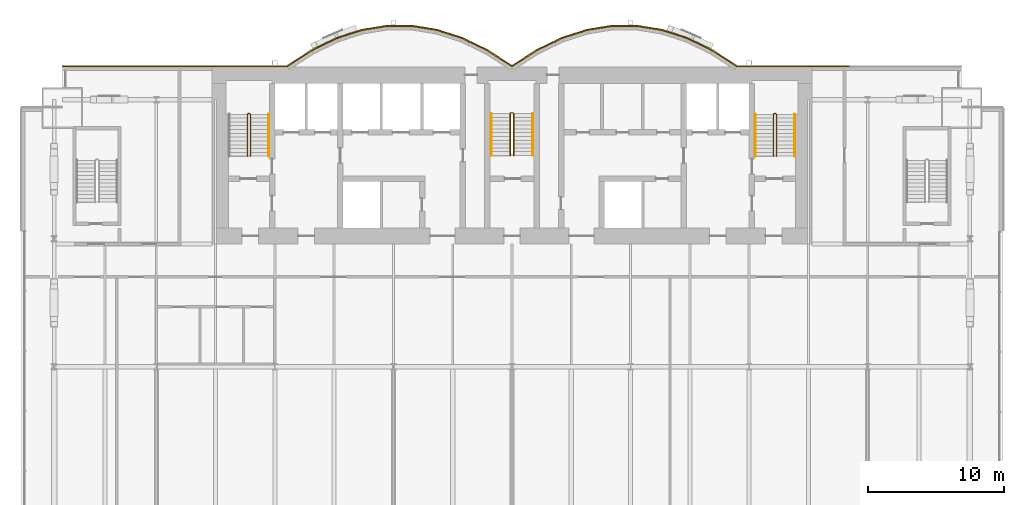
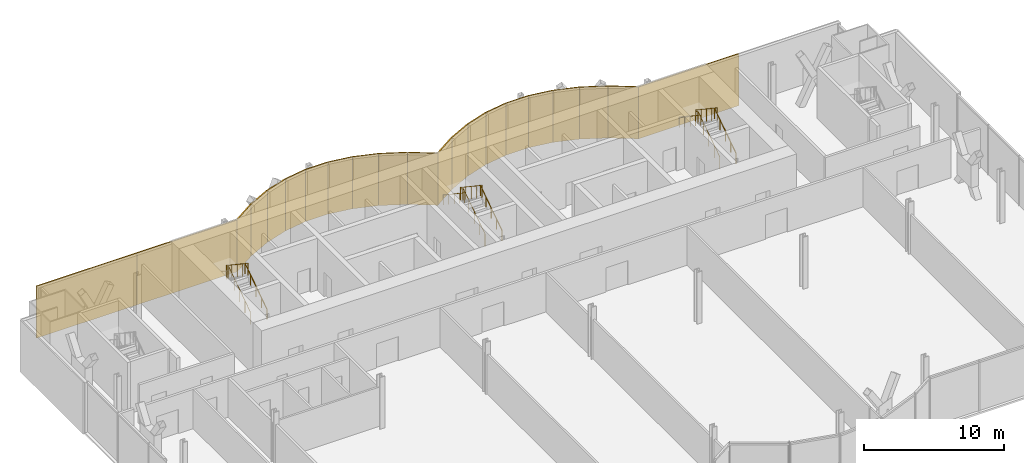
# One storey, part 20 of 22: 21 coverings, 8 railings.
"""IFC4 building model written with IfcOpenShell, lengths in metres."""

from ifc_helpers import new_model, si_unit, direction, frame, origin, origin_2d, place, context, subcontext, project, spatial, rectangle, circle, extrude, material, layer, layer_set, type_object, element, save


model = new_model("IFC4")

# Units and contexts
model_context = context("Model", 3, precision=1e-05, world=origin(), true_north=direction((0.0, 1.0)))
body_context = subcontext(model_context, "Body", "Model", "MODEL_VIEW")
ifc_project = project(units=[si_unit("LENGTHUNIT", "METRE"), si_unit("AREAUNIT", "SQUARE_METRE"), si_unit("VOLUMEUNIT", "CUBIC_METRE"), si_unit("PLANEANGLEUNIT", "RADIAN"), si_unit("MASSUNIT", "GRAM", prefix="KILO")], contexts=[model_context])

# Site, building, storey
site_placement = place(None, origin())
site = spatial("IfcSite", under=ifc_project, at=site_placement, CompositionType="ELEMENT")
building_placement = place(site_placement, origin())
building = spatial("IfcBuilding", under=site, at=building_placement, Name="Bicima Exchange Tower", CompositionType="ELEMENT")
storey_placement = place(building_placement, frame((0.0, 0.0, 39.5)))
storey = spatial("IfcBuildingStorey", under=building, at=storey_placement, Name="L07", CompositionType="ELEMENT", Elevation=39.5)

# Coverings
ifc_material_1 = material(Name="Bronze metal cladding")
ifc_layer_1 = layer(ifc_material_1, 0.004)
ifc_material_2 = material(Name="Ventilated cavity")
ifc_layer_2 = layer(ifc_material_2, 0.06)
ifc_material_3 = material(Name="Galvanised steel rail and mineral wool", Category="steel")
ifc_layer_3 = layer(ifc_material_3, 0.036)
ifc_layer_set = layer_set([ifc_layer_1, ifc_layer_2, ifc_layer_3], Name="Ventilated cavity")
covering_type = type_object("IfcCoveringType", Name="Bronze metal cladding panel 100", PredefinedType="CLADDING", material=ifc_layer_set)
covering_1_placement = place(storey_placement, frame((20.625, 0.050048828125, -0.14990234375), z_axis=(0.0, 0.0, 1.0), x_axis=(-1.0, 0.0, 0.0)))
element("IfcCovering", 1, at=covering_1_placement, inside=storey, type_object=covering_type, Name="Bronze cladding L07 1.2", PredefinedType="CLADDING", context=body_context, shape_type="SweptSolid", body=[
    extrude(rectangle(XDim=8.25, YDim=0.10009765625, at=origin_2d()), origin(), (0.0, 0.0, 1.0), 4.5),
])
covering_2_placement = place(storey_placement, frame((15.610595703125, 0.634521484375, -0.14990234375), z_axis=(0.0, 0.0, 1.0), x_axis=(-0.839790466384, 0.542910648791, 0.0)))
element("IfcCovering", 2, at=covering_2_placement, inside=storey, type_object=covering_type, Name="Bronze cladding L07 2.1", PredefinedType="CLADDING", context=body_context, shape_type="SweptSolid", body=[
    extrude(rectangle(XDim=2.18310546875, YDim=0.10009765625, at=origin_2d()), origin(), (0.0, 0.0, 1.0), 4.5),
])
covering_3_placement = place(storey_placement, frame((13.771728515625, 1.674560546875, -0.14990234375), z_axis=(0.0, 0.0, 1.0), x_axis=(-0.899818346812, 0.436264762204, 0.0)))
element("IfcCovering", 3, at=covering_3_placement, inside=storey, type_object=covering_type, Name="Bronze cladding L07 3.1", PredefinedType="CLADDING", context=body_context, shape_type="SweptSolid", body=[
    extrude(rectangle(XDim=2.03759765625, YDim=0.10009765625, at=origin_2d()), origin(), (0.0, 0.0, 1.0), 4.5),
])
covering_4_placement = place(storey_placement, frame((11.931884765625, 2.41796875, -0.14990234375), z_axis=(0.0, 0.0, 1.0), x_axis=(-0.951524642381, 0.307572519808, 0.0)))
element("IfcCovering", 4, at=covering_4_placement, inside=storey, type_object=covering_type, Name="Bronze cladding L07 4.1", PredefinedType="CLADDING", context=body_context, shape_type="SweptSolid", body=[
    extrude(rectangle(XDim=1.9267578125, YDim=0.10009765625, at=origin_2d()), origin(), (0.0, 0.0, 1.0), 4.5),
])
covering_5_placement = place(storey_placement, frame((10.09130859375, 2.8642578125, -0.14990234375), z_axis=(0.0, 0.0, 1.0), x_axis=(-0.987189786347, 0.159550386184, 0.0)))
element("IfcCovering", 5, at=covering_5_placement, inside=storey, type_object=covering_type, Name="Bronze cladding L07 5.1", PredefinedType="CLADDING", context=body_context, shape_type="SweptSolid", body=[
    extrude(rectangle(XDim=1.857177734375, YDim=0.10009765625, at=origin_2d()), origin(), (0.0, 0.0, 1.0), 4.5),
])
covering_6_placement = place(storey_placement, frame((8.25, 3.012939453125, -0.14990234375), z_axis=(0.0, 0.0, 1.0), x_axis=(-1.0, 0.0, 0.0)))
element("IfcCovering", 6, at=covering_6_placement, inside=storey, type_object=covering_type, Name="Bronze cladding L07 6.1", PredefinedType="CLADDING", context=body_context, shape_type="SweptSolid", body=[
    extrude(rectangle(XDim=1.83349609375, YDim=0.10009765625, at=origin_2d()), origin(), (0.0, 0.0, 1.0), 4.5),
])
covering_7_placement = place(storey_placement, frame((6.40869140625, 2.8642578125, -0.14990234375), z_axis=(0.0, 0.0, 1.0), x_axis=(-0.987189786347, -0.159550386184, 0.0)))
element("IfcCovering", 7, at=covering_7_placement, inside=storey, type_object=covering_type, Name="Bronze cladding L07 7.1", PredefinedType="CLADDING", context=body_context, shape_type="SweptSolid", body=[
    extrude(rectangle(XDim=1.857177734375, YDim=0.10009765625, at=origin_2d()), origin(), (0.0, 0.0, 1.0), 4.5),
])
covering_8_placement = place(storey_placement, frame((4.568115234375, 2.41796875, -0.14990234375), z_axis=(0.0, 0.0, 1.0), x_axis=(-0.951524642381, -0.307572519808, 0.0)))
element("IfcCovering", 8, at=covering_8_placement, inside=storey, type_object=covering_type, Name="Bronze cladding L07 8.1", PredefinedType="CLADDING", context=body_context, shape_type="SweptSolid", body=[
    extrude(rectangle(XDim=1.9267578125, YDim=0.10009765625, at=origin_2d()), origin(), (0.0, 0.0, 1.0), 4.5),
])
covering_9_placement = place(storey_placement, frame((2.728271484375, 1.674560546875, -0.14990234375), z_axis=(0.0, 0.0, 1.0), x_axis=(-0.899818346812, -0.436264762204, 0.0)))
element("IfcCovering", 9, at=covering_9_placement, inside=storey, type_object=covering_type, Name="Bronze cladding L07 9.1", PredefinedType="CLADDING", context=body_context, shape_type="SweptSolid", body=[
    extrude(rectangle(XDim=2.03759765625, YDim=0.10009765625, at=origin_2d()), origin(), (0.0, 0.0, 1.0), 4.5),
])
for number, where, z_axis, x_axis, name in (
    (10, (0.889404296875, 0.634521484375, -0.14990234375), (0.0, 0.0, 1.0), (-0.839790466384, -0.542910648791, 0.0), "Bronze cladding L07 10.1"),
    (11, (-0.889404296875, 0.634521484375, -0.14990234375), (0.0, 0.0, 1.0), (-0.839790466384, 0.542910648791, 0.0), "Bronze cladding L07 11.1"),
):
    element("IfcCovering", number, at=place(storey_placement, frame(where, z_axis=z_axis, x_axis=x_axis)), inside=storey, type_object=covering_type, Name=name, PredefinedType="CLADDING", context=body_context, shape_type="SweptSolid", body=[
        extrude(rectangle(XDim=2.18310546875, YDim=0.10009765625, at=origin_2d()), origin(), (0.0, 0.0, 1.0), 4.5),
    ])
covering_10_placement = place(storey_placement, frame((-2.728271484375, 1.674560546875, -0.14990234375), z_axis=(0.0, 0.0, 1.0), x_axis=(-0.899818346812, 0.436264762204, 0.0)))
element("IfcCovering", 12, at=covering_10_placement, inside=storey, type_object=covering_type, Name="Bronze cladding L07 12.1", PredefinedType="CLADDING", context=body_context, shape_type="SweptSolid", body=[
    extrude(rectangle(XDim=2.03759765625, YDim=0.10009765625, at=origin_2d()), origin(), (0.0, 0.0, 1.0), 4.5),
])
covering_11_placement = place(storey_placement, frame((-4.568115234375, 2.41796875, -0.14990234375), z_axis=(0.0, 0.0, 1.0), x_axis=(-0.951524642381, 0.307572519808, 0.0)))
element("IfcCovering", 13, at=covering_11_placement, inside=storey, type_object=covering_type, Name="Bronze cladding L07 13.1", PredefinedType="CLADDING", context=body_context, shape_type="SweptSolid", body=[
    extrude(rectangle(XDim=1.9267578125, YDim=0.10009765625, at=origin_2d()), origin(), (0.0, 0.0, 1.0), 4.5),
])
covering_12_placement = place(storey_placement, frame((-6.40869140625, 2.8642578125, -0.14990234375), z_axis=(0.0, 0.0, 1.0), x_axis=(-0.987189786347, 0.159550386184, 0.0)))
element("IfcCovering", 14, at=covering_12_placement, inside=storey, type_object=covering_type, Name="Bronze cladding L07 14.1", PredefinedType="CLADDING", context=body_context, shape_type="SweptSolid", body=[
    extrude(rectangle(XDim=1.857177734375, YDim=0.10009765625, at=origin_2d()), origin(), (0.0, 0.0, 1.0), 4.5),
])
covering_13_placement = place(storey_placement, frame((-8.25, 3.012939453125, -0.14990234375), z_axis=(0.0, 0.0, 1.0), x_axis=(-1.0, 0.0, 0.0)))
element("IfcCovering", 15, at=covering_13_placement, inside=storey, type_object=covering_type, Name="Bronze cladding L07 15.1", PredefinedType="CLADDING", context=body_context, shape_type="SweptSolid", body=[
    extrude(rectangle(XDim=1.83349609375, YDim=0.10009765625, at=origin_2d()), origin(), (0.0, 0.0, 1.0), 4.5),
])
covering_14_placement = place(storey_placement, frame((-10.09130859375, 2.8642578125, -0.14990234375), z_axis=(0.0, 0.0, 1.0), x_axis=(-0.987189786347, -0.159550386184, 0.0)))
element("IfcCovering", 16, at=covering_14_placement, inside=storey, type_object=covering_type, Name="Bronze cladding L07 16.1", PredefinedType="CLADDING", context=body_context, shape_type="SweptSolid", body=[
    extrude(rectangle(XDim=1.857177734375, YDim=0.10009765625, at=origin_2d()), origin(), (0.0, 0.0, 1.0), 4.5),
])
covering_15_placement = place(storey_placement, frame((-11.931884765625, 2.41796875, -0.14990234375), z_axis=(0.0, 0.0, 1.0), x_axis=(-0.951524642381, -0.307572519808, 0.0)))
element("IfcCovering", 17, at=covering_15_placement, inside=storey, type_object=covering_type, Name="Bronze cladding L07 17.1", PredefinedType="CLADDING", context=body_context, shape_type="SweptSolid", body=[
    extrude(rectangle(XDim=1.9267578125, YDim=0.10009765625, at=origin_2d()), origin(), (0.0, 0.0, 1.0), 4.5),
])
covering_16_placement = place(storey_placement, frame((-13.771728515625, 1.674560546875, -0.14990234375), z_axis=(0.0, 0.0, 1.0), x_axis=(-0.899818346812, -0.436264762204, 0.0)))
element("IfcCovering", 18, at=covering_16_placement, inside=storey, type_object=covering_type, Name="Bronze cladding L07 18.1", PredefinedType="CLADDING", context=body_context, shape_type="SweptSolid", body=[
    extrude(rectangle(XDim=2.03759765625, YDim=0.10009765625, at=origin_2d()), origin(), (0.0, 0.0, 1.0), 4.5),
])
covering_17_placement = place(storey_placement, frame((-15.610595703125, 0.634521484375, -0.14990234375), z_axis=(0.0, 0.0, 1.0), x_axis=(-0.839790466384, -0.542910648791, 0.0)))
element("IfcCovering", 19, at=covering_17_placement, inside=storey, type_object=covering_type, Name="Bronze cladding L07 19.1", PredefinedType="CLADDING", context=body_context, shape_type="SweptSolid", body=[
    extrude(rectangle(XDim=2.18310546875, YDim=0.10009765625, at=origin_2d()), origin(), (0.0, 0.0, 1.0), 4.5),
])
for number, where, z_axis, x_axis, name in (
    (20, (-20.625, 0.050048828125, -0.14990234375), (0.0, 0.0, 1.0), (-1.0, 0.0, 0.0), "Bronze cladding L07 20.1"),
    (21, (-28.875, 0.050048828125, -0.14990234375), (0.0, 0.0, 1.0), (-1.0, 0.0, 0.0), "Bronze cladding L07 20.2"),
):
    element("IfcCovering", number, at=place(storey_placement, frame(where, z_axis=z_axis, x_axis=x_axis)), inside=storey, type_object=covering_type, Name=name, PredefinedType="CLADDING", context=body_context, shape_type="SweptSolid", body=[
        extrude(rectangle(XDim=8.25, YDim=0.10009765625, at=origin_2d()), origin(), (0.0, 0.0, 1.0), 4.5),
    ])

# Railings
ifc_material_4 = material(Name="Stainless steel", Category="steel")
railing_type_1 = type_object("IfcRailingType", Name="Stair guard 1100", PredefinedType="GUARDRAIL", material=ifc_material_4)
railing_1_placement = place(storey_placement, frame((-19.199951171875, -6.550048828125, 0.1875)))
element("IfcRailing", 22, at=railing_1_placement, inside=storey, type_object=railing_type_1, Name="L07 ST-W stair guard 1", PredefinedType="GUARDRAIL", context=body_context, shape_type="SweptSolid", body=[
    extrude(circle(Radius=0.02392578125, at=origin_2d()), frame((0.0, 0.0, 1.076171875), z_axis=(0.0, 0.830913701846, 0.55640131208), x_axis=(-1.0, 0.0, 0.0)), (0.0, 0.0, 1.0), 3.706787109375),
    extrude(circle(Radius=0.02392578125, at=origin_2d()), frame((0.0, 3.080078125, 3.138671875), z_axis=(-0.707106781187, 0.707106781187, 0.0), x_axis=(-0.707106781187, -0.707106781187, 0.0)), (0.0, 0.0, 1.0), 0.07080078125),
    extrude(circle(Radius=0.02392578125, at=origin_2d()), frame((-0.050048828125, 3.130126953125, 3.138671875), z_axis=(-1.0, 0.0, 0.0), x_axis=(0.0, -1.0, 0.0)), (0.0, 0.0, 1.0), 0.10009765625),
    extrude(circle(Radius=0.02392578125, at=origin_2d()), frame((-0.150146484375, 3.130126953125, 3.138671875), z_axis=(-0.248583702486, -0.249802250048, 0.935844527007), x_axis=(0.708833529934, -0.705375805398, 0.0)), (0.0, 0.0, 1.0), 0.200439453125),
    extrude(circle(Radius=0.02392578125, at=origin_2d()), frame((-0.199951171875, 3.080078125, 3.326171875), z_axis=(0.0, -0.830913701846, 0.55640131208), x_axis=(1.0, 0.0, 0.0)), (0.0, 0.0, 1.0), 3.706787109375),
    extrude(circle(Radius=0.02099609375, at=origin_2d()), origin(), (0.0, 0.0, 1.0), 1.052001953125),
    extrude(circle(Radius=0.02099609375, at=origin_2d()), frame((0.0, 0.77001953125, 0.515625)), (0.0, 0.0, 1.0), 1.052001953125),
    extrude(circle(Radius=0.02099609375, at=origin_2d()), frame((0.0, 1.5400390625, 1.03125)), (0.0, 0.0, 1.0), 1.052001953125),
    extrude(circle(Radius=0.02099609375, at=origin_2d()), frame((0.0, 2.31005859375, 1.546875)), (0.0, 0.0, 1.0), 1.052001953125),
    extrude(circle(Radius=0.02099609375, at=origin_2d()), frame((0.0, 3.080078125, 2.0625)), (0.0, 0.0, 1.0), 1.052001953125),
    extrude(circle(Radius=0.02099609375, at=origin_2d()), frame((-0.050048828125, 3.130126953125, 2.0625)), (0.0, 0.0, 1.0), 1.052001953125),
    extrude(circle(Radius=0.02099609375, at=origin_2d()), frame((-0.150146484375, 3.130126953125, 2.0625)), (0.0, 0.0, 1.0), 1.052001953125),
    extrude(circle(Radius=0.02099609375, at=origin_2d()), frame((-0.199951171875, 3.080078125, 2.25)), (0.0, 0.0, 1.0), 1.052001953125),
    extrude(circle(Radius=0.02099609375, at=origin_2d()), frame((-0.199951171875, 2.31005859375, 2.765625)), (0.0, 0.0, 1.0), 1.052001953125),
    extrude(circle(Radius=0.02099609375, at=origin_2d()), frame((-0.199951171875, 1.5400390625, 3.28125)), (0.0, 0.0, 1.0), 1.052001953125),
    extrude(circle(Radius=0.02099609375, at=origin_2d()), frame((-0.199951171875, 0.77001953125, 3.796875)), (0.0, 0.0, 1.0), 1.052001953125),
    extrude(circle(Radius=0.02099609375, at=origin_2d()), frame((-0.199951171875, 0.0, 4.3125)), (0.0, 0.0, 1.0), 1.052001953125),
])
railing_2_placement = place(storey_placement, frame((0.125, -6.5, 0.1875)))
element("IfcRailing", 23, at=railing_2_placement, inside=storey, type_object=railing_type_1, Name="L07 ST-C stair guard 1", PredefinedType="GUARDRAIL", context=body_context, shape_type="SweptSolid", body=[
    extrude(circle(Radius=0.02392578125, at=origin_2d()), frame((0.0, 0.0, 1.076171875), z_axis=(0.0, 0.830913701846, 0.55640131208), x_axis=(-1.0, 0.0, 0.0)), (0.0, 0.0, 1.0), 3.706787109375),
    extrude(circle(Radius=0.02392578125, at=origin_2d()), frame((0.0, 3.080078125, 3.138671875), z_axis=(-0.708833529934, 0.705375805398, 0.0), x_axis=(-0.705375805398, -0.708833529934, 0.0)), (0.0, 0.0, 1.0), 0.070556640625),
    extrude(circle(Radius=0.02392578125, at=origin_2d()), frame((-0.050048828125, 3.1298828125, 3.138671875), z_axis=(-1.0, 0.0, 0.0), x_axis=(0.0, -1.0, 0.0)), (0.0, 0.0, 1.0), 0.14990234375),
    extrude(circle(Radius=0.02392578125, at=origin_2d()), frame((-0.199951171875, 3.1298828125, 3.138671875), z_axis=(-0.249802250048, -0.248583702486, 0.935844527007), x_axis=(0.705375805398, -0.708833529934, 0.0)), (0.0, 0.0, 1.0), 0.200439453125),
    extrude(circle(Radius=0.02392578125, at=origin_2d()), frame((-0.25, 3.080078125, 3.326171875), z_axis=(0.0, -0.830913701846, 0.55640131208), x_axis=(1.0, 0.0, 0.0)), (0.0, 0.0, 1.0), 3.706787109375),
    extrude(circle(Radius=0.02099609375, at=origin_2d()), origin(), (0.0, 0.0, 1.0), 1.052001953125),
    extrude(circle(Radius=0.02099609375, at=origin_2d()), frame((0.0, 0.77001953125, 0.515625)), (0.0, 0.0, 1.0), 1.052001953125),
    extrude(circle(Radius=0.02099609375, at=origin_2d()), frame((0.0, 1.5400390625, 1.03125)), (0.0, 0.0, 1.0), 1.052001953125),
    extrude(circle(Radius=0.02099609375, at=origin_2d()), frame((0.0, 2.31005859375, 1.546875)), (0.0, 0.0, 1.0), 1.052001953125),
    extrude(circle(Radius=0.02099609375, at=origin_2d()), frame((0.0, 3.080078125, 2.0625)), (0.0, 0.0, 1.0), 1.052001953125),
    extrude(circle(Radius=0.02099609375, at=origin_2d()), frame((-0.050048828125, 3.1298828125, 2.0625)), (0.0, 0.0, 1.0), 1.052001953125),
    extrude(circle(Radius=0.02099609375, at=origin_2d()), frame((-0.199951171875, 3.1298828125, 2.0625)), (0.0, 0.0, 1.0), 1.052001953125),
    extrude(circle(Radius=0.02099609375, at=origin_2d()), frame((-0.25, 3.080078125, 2.25)), (0.0, 0.0, 1.0), 1.052001953125),
    extrude(circle(Radius=0.02099609375, at=origin_2d()), frame((-0.25, 2.31005859375, 2.765625)), (0.0, 0.0, 1.0), 1.052001953125),
    extrude(circle(Radius=0.02099609375, at=origin_2d()), frame((-0.25, 1.5400390625, 3.28125)), (0.0, 0.0, 1.0), 1.052001953125),
    extrude(circle(Radius=0.02099609375, at=origin_2d()), frame((-0.25, 0.77001953125, 3.796875)), (0.0, 0.0, 1.0), 1.052001953125),
    extrude(circle(Radius=0.02099609375, at=origin_2d()), frame((-0.25, 0.0, 4.3125)), (0.0, 0.0, 1.0), 1.052001953125),
])
railing_3_placement = place(storey_placement, frame((19.39990234375, -6.550048828125, 0.1875)))
element("IfcRailing", 24, at=railing_3_placement, inside=storey, type_object=railing_type_1, Name="L07 ST-E stair guard 1", PredefinedType="GUARDRAIL", context=body_context, shape_type="SweptSolid", body=[
    extrude(circle(Radius=0.02392578125, at=origin_2d()), frame((0.0, 0.0, 1.076171875), z_axis=(0.0, 0.830913701846, 0.55640131208), x_axis=(-1.0, 0.0, 0.0)), (0.0, 0.0, 1.0), 3.706787109375),
    extrude(circle(Radius=0.02392578125, at=origin_2d()), frame((0.0, 3.080078125, 3.138671875), z_axis=(-0.705375805398, 0.708833529934, 0.0), x_axis=(-0.708833529934, -0.705375805398, 0.0)), (0.0, 0.0, 1.0), 0.070556640625),
    extrude(circle(Radius=0.02392578125, at=origin_2d()), frame((-0.0498046875, 3.130126953125, 3.138671875), z_axis=(-1.0, 0.0, 0.0), x_axis=(0.0, -1.0, 0.0)), (0.0, 0.0, 1.0), 0.10009765625),
    extrude(circle(Radius=0.02392578125, at=origin_2d()), frame((-0.14990234375, 3.130126953125, 3.138671875), z_axis=(-0.249726431254, -0.249726431254, 0.935560483917), x_axis=(0.707106781187, -0.707106781187, 0.0)), (0.0, 0.0, 1.0), 0.200439453125),
    extrude(circle(Radius=0.02392578125, at=origin_2d()), frame((-0.199951171875, 3.080078125, 3.326171875), z_axis=(0.0, -0.830913701846, 0.55640131208), x_axis=(1.0, 0.0, 0.0)), (0.0, 0.0, 1.0), 3.706787109375),
    extrude(circle(Radius=0.02099609375, at=origin_2d()), origin(), (0.0, 0.0, 1.0), 1.052001953125),
    extrude(circle(Radius=0.02099609375, at=origin_2d()), frame((0.0, 0.77001953125, 0.515625)), (0.0, 0.0, 1.0), 1.052001953125),
    extrude(circle(Radius=0.02099609375, at=origin_2d()), frame((0.0, 1.5400390625, 1.03125)), (0.0, 0.0, 1.0), 1.052001953125),
    extrude(circle(Radius=0.02099609375, at=origin_2d()), frame((0.0, 2.31005859375, 1.546875)), (0.0, 0.0, 1.0), 1.052001953125),
    extrude(circle(Radius=0.02099609375, at=origin_2d()), frame((0.0, 3.080078125, 2.0625)), (0.0, 0.0, 1.0), 1.052001953125),
    extrude(circle(Radius=0.02099609375, at=origin_2d()), frame((-0.0498046875, 3.130126953125, 2.0625)), (0.0, 0.0, 1.0), 1.052001953125),
    extrude(circle(Radius=0.02099609375, at=origin_2d()), frame((-0.14990234375, 3.130126953125, 2.0625)), (0.0, 0.0, 1.0), 1.052001953125),
    extrude(circle(Radius=0.02099609375, at=origin_2d()), frame((-0.199951171875, 3.080078125, 2.25)), (0.0, 0.0, 1.0), 1.052001953125),
    extrude(circle(Radius=0.02099609375, at=origin_2d()), frame((-0.199951171875, 2.31005859375, 2.765625)), (0.0, 0.0, 1.0), 1.052001953125),
    extrude(circle(Radius=0.02099609375, at=origin_2d()), frame((-0.199951171875, 1.5400390625, 3.28125)), (0.0, 0.0, 1.0), 1.052001953125),
    extrude(circle(Radius=0.02099609375, at=origin_2d()), frame((-0.199951171875, 0.77001953125, 3.796875)), (0.0, 0.0, 1.0), 1.052001953125),
    extrude(circle(Radius=0.02099609375, at=origin_2d()), frame((-0.199951171875, 0.0, 4.3125)), (0.0, 0.0, 1.0), 1.052001953125),
])
railing_type_2 = type_object("IfcRailingType", Name="Stair handrail 900", PredefinedType="HANDRAIL", material=ifc_material_4)
for number, where, name in (
    (25, (-17.85009765625, -6.550048828125, 0.1875), "L07 ST-W stair handrail 1"),
    (26, (1.52490234375, -6.5, 0.1875), "L07 ST-C stair handrail 1"),
):
    element("IfcRailing", number, at=place(storey_placement, frame(where)), inside=storey, type_object=railing_type_2, Name=name, PredefinedType="HANDRAIL", context=body_context, shape_type="SweptSolid", body=[
        extrude(circle(Radius=0.02392578125, at=origin_2d()), frame((0.0, 0.0, 0.8759765625), z_axis=(0.0, 0.830913701846, 0.55640131208), x_axis=(-1.0, 0.0, 0.0)), (0.0, 0.0, 1.0), 3.706787109375),
        extrude(circle(Radius=0.02099609375, at=origin_2d()), origin(), (0.0, 0.0, 1.0), 0.851806640625),
        extrude(circle(Radius=0.02099609375, at=origin_2d()), frame((0.0, 0.77001953125, 0.515625)), (0.0, 0.0, 1.0), 0.851806640625),
        extrude(circle(Radius=0.02099609375, at=origin_2d()), frame((0.0, 1.5400390625, 1.03125)), (0.0, 0.0, 1.0), 0.851806640625),
        extrude(circle(Radius=0.02099609375, at=origin_2d()), frame((0.0, 2.31005859375, 1.546875)), (0.0, 0.0, 1.0), 0.851806640625),
        extrude(circle(Radius=0.02099609375, at=origin_2d()), frame((0.0, 3.080078125, 2.0625)), (0.0, 0.0, 1.0), 0.851806640625),
    ])
railing_4_placement = place(storey_placement, frame((-1.52490234375, -3.419921875, 2.47900390625)))
element("IfcRailing", 27, at=railing_4_placement, inside=storey, type_object=railing_type_2, Name="L07 ST-C stair handrail 2", PredefinedType="HANDRAIL", context=body_context, shape_type="SweptSolid", body=[
    extrude(circle(Radius=0.02392578125, at=origin_2d()), frame((0.0, 0.0, 0.8759765625), z_axis=(0.0, -0.830913701846, 0.55640131208), x_axis=(1.0, 0.0, 0.0)), (0.0, 0.0, 1.0), 3.706787109375),
    extrude(circle(Radius=0.02099609375, at=origin_2d()), origin(), (0.0, 0.0, 1.0), 0.851806640625),
    extrude(circle(Radius=0.02099609375, at=origin_2d()), frame((0.0, -0.77001953125, 0.515625)), (0.0, 0.0, 1.0), 0.851806640625),
    extrude(circle(Radius=0.02099609375, at=origin_2d()), frame((0.0, -1.5400390625, 1.03125)), (0.0, 0.0, 1.0), 0.851806640625),
    extrude(circle(Radius=0.02099609375, at=origin_2d()), frame((0.0, -2.31005859375, 1.546875)), (0.0, 0.0, 1.0), 0.851806640625),
    extrude(circle(Radius=0.02099609375, at=origin_2d()), frame((0.0, -3.080078125, 2.0625)), (0.0, 0.0, 1.0), 0.851806640625),
])
railing_5_placement = place(storey_placement, frame((20.75, -6.550048828125, 0.1875)))
element("IfcRailing", 28, at=railing_5_placement, inside=storey, type_object=railing_type_2, Name="L07 ST-E stair handrail 1", PredefinedType="HANDRAIL", context=body_context, shape_type="SweptSolid", body=[
    extrude(circle(Radius=0.02392578125, at=origin_2d()), frame((0.0, 0.0, 0.8759765625), z_axis=(0.0, 0.830913701846, 0.55640131208), x_axis=(-1.0, 0.0, 0.0)), (0.0, 0.0, 1.0), 3.706787109375),
    extrude(circle(Radius=0.02099609375, at=origin_2d()), origin(), (0.0, 0.0, 1.0), 0.851806640625),
    extrude(circle(Radius=0.02099609375, at=origin_2d()), frame((0.0, 0.77001953125, 0.515625)), (0.0, 0.0, 1.0), 0.851806640625),
    extrude(circle(Radius=0.02099609375, at=origin_2d()), frame((0.0, 1.5400390625, 1.03125)), (0.0, 0.0, 1.0), 0.851806640625),
    extrude(circle(Radius=0.02099609375, at=origin_2d()), frame((0.0, 2.31005859375, 1.546875)), (0.0, 0.0, 1.0), 0.851806640625),
    extrude(circle(Radius=0.02099609375, at=origin_2d()), frame((0.0, 3.080078125, 2.0625)), (0.0, 0.0, 1.0), 0.851806640625),
])
railing_6_placement = place(storey_placement, frame((17.85009765625, -3.469970703125, 2.47900390625)))
element("IfcRailing", 29, at=railing_6_placement, inside=storey, type_object=railing_type_2, Name="L07 ST-E stair handrail 2", PredefinedType="HANDRAIL", context=body_context, shape_type="SweptSolid", body=[
    extrude(circle(Radius=0.02392578125, at=origin_2d()), frame((0.0, 0.0, 0.8759765625), z_axis=(0.0, -0.830913701846, 0.55640131208), x_axis=(1.0, 0.0, 0.0)), (0.0, 0.0, 1.0), 3.706787109375),
    extrude(circle(Radius=0.02099609375, at=origin_2d()), origin(), (0.0, 0.0, 1.0), 0.851806640625),
    extrude(circle(Radius=0.02099609375, at=origin_2d()), frame((0.0, -0.77001953125, 0.515625)), (0.0, 0.0, 1.0), 0.851806640625),
    extrude(circle(Radius=0.02099609375, at=origin_2d()), frame((0.0, -1.5400390625, 1.03125)), (0.0, 0.0, 1.0), 0.851806640625),
    extrude(circle(Radius=0.02099609375, at=origin_2d()), frame((0.0, -2.31005859375, 1.546875)), (0.0, 0.0, 1.0), 0.851806640625),
    extrude(circle(Radius=0.02099609375, at=origin_2d()), frame((0.0, -3.080078125, 2.0625)), (0.0, 0.0, 1.0), 0.851806640625),
])

save(model, "model.ifc")
